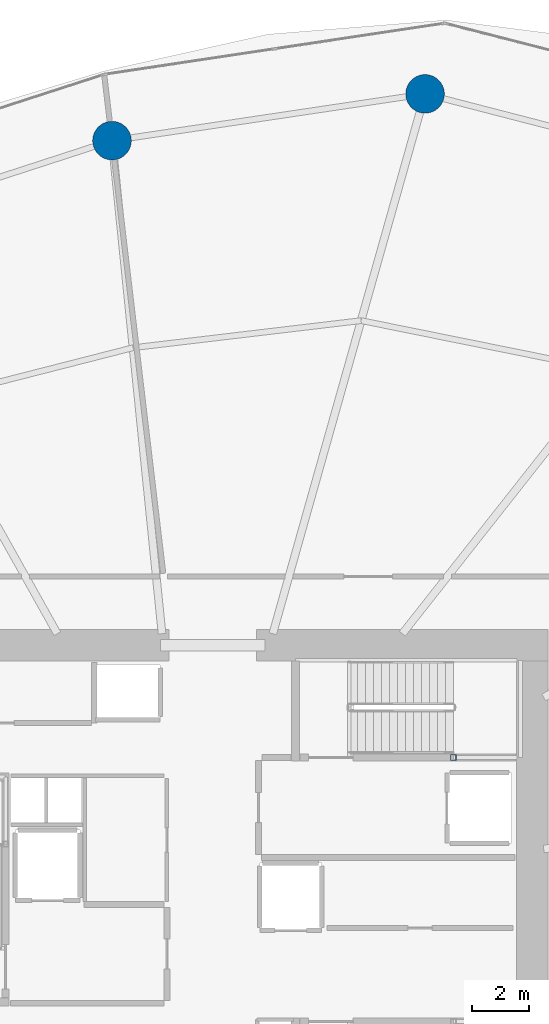
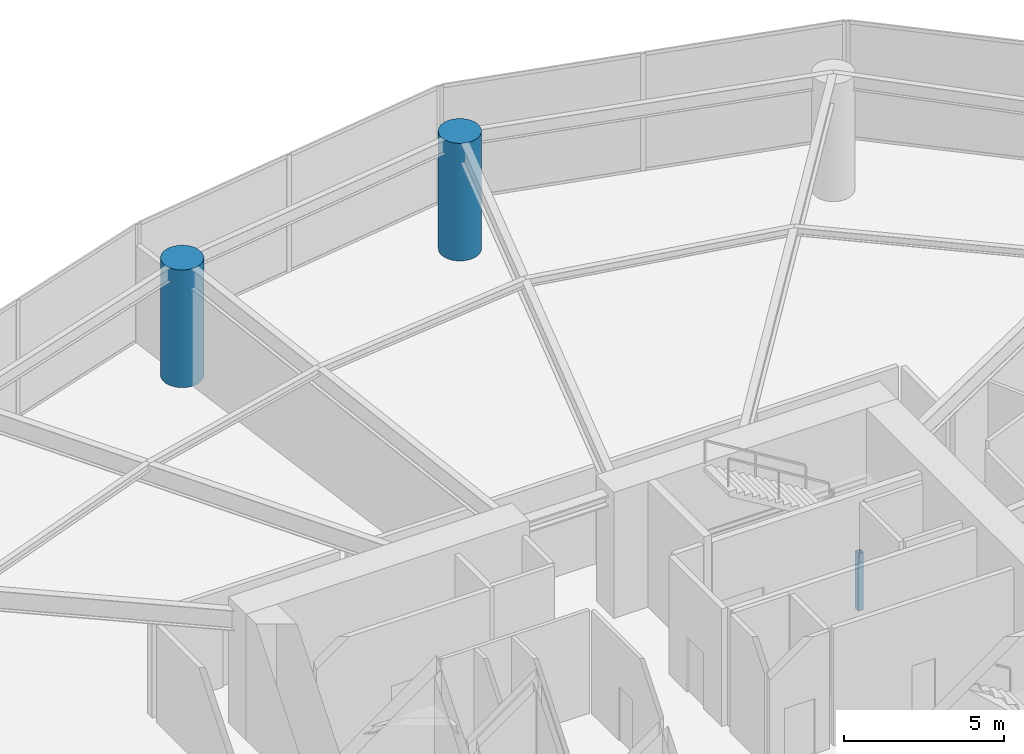
# One storey, part 5 of 22: 3 columns.
"""IFC4 building model written with IfcOpenShell, lengths in metres."""

import ifcopenshell
import ifcopenshell.guid

model = None  # the IFC model being written
_history = None  # IfcOwnerHistory: only IFC2X3 demands one
_inside = {}  # id of a spatial element -> (the spatial element, [elements in it])
_under = {}  # id of a project, library or spatial element -> (it, [spatial elements below it])
_declared = {}  # id of a project -> (the project, [libraries it declares])
_typed = {}  # id of a type object -> (the type object, [elements of that type])
_made_of = {}  # id of a material, layer set ... -> (it, [elements and type objects made of it])


def new_model(schema):
    """Start an empty IFC model of exactly this schema.

    Asked for "IFC4X3", IfcOpenShell would pick the latest addendum, in which some entities
    have other attributes; the version numbers below select the first issue.
    IFC2X3 requires an IfcOwnerHistory on every rooted entity: one is made here for all.
    """
    global model, _history
    if schema == "IFC4X3":
        model = ifcopenshell.file(schema_version=(4, 3, 0, 0))
    else:
        model = ifcopenshell.file(schema=schema)
    _inside.clear()
    _under.clear()
    _declared.clear()
    _typed.clear()
    _made_of.clear()
    _history = None
    if model.schema == "IFC2X3":
        org = make("IfcOrganization", Name="unknown")
        user = make(
            "IfcPersonAndOrganization",
            ThePerson=make("IfcPerson", FamilyName="unknown"),
            TheOrganization=org,
        )
        app = make(
            "IfcApplication",
            ApplicationDeveloper=org,
            Version="unknown",
            ApplicationFullName="unknown",
            ApplicationIdentifier="unknown",
        )
        _history = make(
            "IfcOwnerHistory",
            OwningUser=user,
            OwningApplication=app,
            ChangeAction="ADDED",
            CreationDate=0,
        )
    return model


def make(cls, **values):
    """One entity of the class cls with the attributes given. An attribute that is None is left unset."""
    return model.create_entity(
        cls, **{name: value for name, value in values.items() if value is not None}
    )


def rooted(cls, **values):
    """An entity with a GlobalId (a new one), such as an element, a storey or a relation."""
    return make(cls, GlobalId=ifcopenshell.guid.new(), OwnerHistory=_history, **values)


def si_unit(unit_type, name, prefix=None):
    """IfcSIUnit, for example si_unit("LENGTHUNIT", "METRE", prefix="MILLI")."""
    return make("IfcSIUnit", UnitType=unit_type, Prefix=prefix, Name=name)


def assignment(units):
    """IfcUnitAssignment: the units of a project."""
    return None if units is None else make("IfcUnitAssignment", Units=units)


def point(xyz):
    """IfcCartesianPoint."""
    return None if xyz is None else make("IfcCartesianPoint", Coordinates=xyz)


def direction(xyz):
    """IfcDirection."""
    return None if xyz is None else make("IfcDirection", DirectionRatios=xyz)


def frame(location, z_axis=None, x_axis=None):
    """IfcAxis2Placement3D, a coordinate frame: its origin and axes. An axis left out is left unset."""
    return make(
        "IfcAxis2Placement3D",
        Location=point(location),
        Axis=direction(z_axis),
        RefDirection=direction(x_axis),
    )


def frame_2d(location, x_axis=None):
    """IfcAxis2Placement2D, a coordinate frame in the plane: its origin and x axis."""
    return make(
        "IfcAxis2Placement2D", Location=point(location), RefDirection=direction(x_axis)
    )


def origin():
    """The frame at (0, 0, 0) with its axes left unset."""
    return frame((0.0, 0.0, 0.0))


def origin_2d():
    """The frame at (0, 0) in the plane with its x axis left unset."""
    return frame_2d((0.0, 0.0))


def place(relative_to, where):
    """IfcLocalPlacement: puts the frame where relative to a parent placement (None: the world)."""
    return make(
        "IfcLocalPlacement", PlacementRelTo=relative_to, RelativePlacement=where
    )


def context(
    kind, dimensions, precision=None, world=None, true_north=None, identifier=None
):
    """IfcGeometricRepresentationContext, for example the 3D "Model" context."""
    return make(
        "IfcGeometricRepresentationContext",
        ContextIdentifier=identifier,
        ContextType=kind,
        CoordinateSpaceDimension=dimensions,
        Precision=precision,
        WorldCoordinateSystem=world,
        TrueNorth=true_north,
    )


def subcontext(parent, identifier, kind, view, scale=None):
    """IfcGeometricRepresentationSubContext, for example "Body" below "Model"."""
    return make(
        "IfcGeometricRepresentationSubContext",
        ContextIdentifier=identifier,
        ContextType=kind,
        ParentContext=parent,
        TargetScale=scale,
        TargetView=view,
    )


def project(units=None, contexts=None):
    """IfcProject with its units and contexts."""
    return rooted(
        "IfcProject",
        Name="project",
        RepresentationContexts=contexts,
        UnitsInContext=assignment(units),
    )


def spatial(cls, under=None, at=None, **own):
    """A site, building, storey or space (cls), placed at a placement, below another one or the project."""
    s = rooted(cls, ObjectPlacement=at, **own)
    if under is not None:
        _under.setdefault(under.id(), (under, []))[1].append(s)
    return s


def profile(cls, at=None, kind="AREA", **sizes):
    """A parametric profile (cls). Its sizes go by their IFC names, for example OverallWidth=200.0."""
    return make(cls, ProfileType=kind, Position=at, **sizes)


def hollow_rectangle(**sizes):
    """IfcRectangleHollowProfileDef."""
    return profile("IfcRectangleHollowProfileDef", **sizes)


def circle(**sizes):
    """IfcCircleProfileDef."""
    return profile("IfcCircleProfileDef", **sizes)


def extrude(swept, where, along, depth):
    """IfcExtrudedAreaSolid: the profile swept, set in the frame where, extruded along a direction by depth."""
    return make(
        "IfcExtrudedAreaSolid",
        SweptArea=swept,
        Position=where,
        ExtrudedDirection=direction(along),
        Depth=depth,
    )


def shape(context_of_items, identifier, shape_type, items):
    """IfcShapeRepresentation: the items that make up one representation, for example the "Body"."""
    return make(
        "IfcShapeRepresentation",
        ContextOfItems=context_of_items,
        RepresentationIdentifier=identifier,
        RepresentationType=shape_type,
        Items=items,
    )


def material(Name=None, Category=None):
    """IfcMaterial."""
    return make("IfcMaterial", Name=Name, Category=Category)


def material_profile(
    of_material, cross_section, Name=None, Category=None, Priority=None
):
    """IfcMaterialProfile: a cross section and its material."""
    return make(
        "IfcMaterialProfile",
        Name=Name,
        Material=of_material,
        Profile=cross_section,
        Priority=Priority,
        Category=Category,
    )


def profile_set(profiles, Name=None, composite=None):
    """IfcMaterialProfileSet."""
    return make(
        "IfcMaterialProfileSet",
        Name=Name,
        MaterialProfiles=profiles,
        CompositeProfile=composite,
    )


def made_of(thing, what):
    """Note that an element or type object is made of a material, layer set ...; save() writes the relation."""
    if what is not None:
        _made_of.setdefault(what.id(), (what, []))[1].append(thing)
    return thing


def type_object(cls, material=None, **own):
    """A type object (cls), such as IfcWallType, which elements share."""
    return made_of(rooted(cls, **own), material)


def element(
    cls,
    number,
    at=None,
    inside=None,
    cuts=None,
    type_object=None,
    material=None,
    context=None,
    identifier="Body",
    shape_type=None,
    held_by="IfcProductDefinitionShape",
    body=None,
    shapes=None,
    **own,
):
    """One element of the class cls, such as IfcWall. Its Tag is "e" and its number.

    at: its placement. inside: the storey or other place that contains it. cuts: it is an
    opening in that element (IfcRelVoidsElement). A single representation is given by context,
    identifier, shape_type and body (its items); several are given by shapes. held_by: the class
    of the entity that holds the representations. save() writes the other relations.
    """
    e = rooted(cls, Tag="e%d" % number, ObjectPlacement=at, **own)
    if body is not None:
        shapes = [shape(context, identifier, shape_type, body)]
    if shapes is not None:
        e.Representation = make(held_by, Representations=shapes)
    if inside is not None:
        _inside.setdefault(inside.id(), (inside, []))[1].append(e)
    if cuts is not None:
        rooted(
            "IfcRelVoidsElement", RelatingBuildingElement=cuts, RelatedOpeningElement=e
        )
    if type_object is not None:
        _typed.setdefault(type_object.id(), (type_object, []))[1].append(e)
    return made_of(e, material)


def aggregate(whole, parts):
    """IfcRelAggregates: a whole, such as a stair, and the parts it consists of."""
    return rooted("IfcRelAggregates", RelatingObject=whole, RelatedObjects=parts)


def save(model, path):
    """Write the relations noted so far, then the file.

    IfcRelAggregates (storeys below a building ...), IfcRelContainedInSpatialStructure (elements
    in a storey), IfcRelDefinesByType, IfcRelAssociatesMaterial and IfcRelDeclares: one each for
    every whole, place, type object, material and project.
    """
    for whole, parts in _under.values():
        aggregate(whole, parts)
    for where, things in _inside.values():
        rooted(
            "IfcRelContainedInSpatialStructure",
            RelatedElements=things,
            RelatingStructure=where,
        )
    for kind, things in _typed.values():
        rooted("IfcRelDefinesByType", RelatedObjects=things, RelatingType=kind)
    for what, things in _made_of.values():
        rooted("IfcRelAssociatesMaterial", RelatedObjects=things, RelatingMaterial=what)
    for by, libraries in _declared.values():
        rooted("IfcRelDeclares", RelatingContext=by, RelatedDefinitions=libraries)
    model.write(path)


model = new_model("IFC4")

# Units and contexts
model_context = context("Model", 3, precision=1e-05, world=origin(), true_north=direction((0.0, 1.0)))
body_context = subcontext(model_context, "Body", "Model", "MODEL_VIEW")
ifc_project = project(units=[si_unit("LENGTHUNIT", "METRE"), si_unit("AREAUNIT", "SQUARE_METRE"), si_unit("VOLUMEUNIT", "CUBIC_METRE"), si_unit("PLANEANGLEUNIT", "RADIAN"), si_unit("MASSUNIT", "GRAM", prefix="KILO")], contexts=[model_context])

# Site, building, storey
site_placement = place(None, origin())
site = spatial("IfcSite", under=ifc_project, at=site_placement, CompositionType="ELEMENT")
building_placement = place(site_placement, origin())
building = spatial("IfcBuilding", under=site, at=building_placement, Name="Kazma Halo Residences", CompositionType="ELEMENT")
storey_placement = place(building_placement, frame((0.0, 0.0, 7.199951171875)))
storey = spatial("IfcBuildingStorey", under=building, at=storey_placement, Name="L01", CompositionType="ELEMENT", Elevation=7.199951171875)

# Columns
ifc_material_1 = material(Name="Steel S355", Category="steel")
ifc_material_profile_1 = material_profile(ifc_material_1, hollow_rectangle(XDim=0.199951171875, YDim=0.199951171875, WallThickness=0.010009765625, InnerFilletRadius=0.010009765625, OuterFilletRadius=0.02001953125, at=origin_2d()), Name="SHS200x200x10")
ifc_profile_set_1 = profile_set([ifc_material_profile_1], Name="Steel S355")
column_type_1 = type_object("IfcColumnType", Name="COL-LP-SHS200", PredefinedType="COLUMN", material=ifc_profile_set_1)
column_placement = place(storey_placement, frame((56.840087890625, 46.6201171875, 0.0), z_axis=(0.0, 0.0, 1.0), x_axis=(1.0, 0.0, 0.0)))
element("IfcColumn", 1, at=column_placement, inside=storey, type_object=column_type_1, Name="L01 ST-02 landing pilaster 1", PredefinedType="COLUMN", context=body_context, shape_type="SweptSolid", body=[
    extrude(hollow_rectangle(XDim=0.199951171875, YDim=0.199951171875, WallThickness=0.010009765625, InnerFilletRadius=0.010009765625, OuterFilletRadius=0.02001953125, at=origin_2d()), origin(), (0.0, 0.0, 1.0), 2.195068359375),
])
ifc_material_2 = material(Name="Concrete C80/95", Category="concrete")
ifc_material_profile_2 = material_profile(ifc_material_2, circle(Radius=0.675048828125, at=origin_2d()), Name="CIRC1350")
ifc_profile_set_2 = profile_set([ifc_material_profile_2], Name="Concrete C80/95")
column_type_2 = type_object("IfcColumnType", Name="COL-PERIM-1350", PredefinedType="COLUMN", material=ifc_profile_set_2)
for number, where, z_axis, x_axis, name in (
    (2, (55.84912109375, 69.831298828125, 0.0), (0.0, 0.0, 1.0), (1.0, 0.0, 0.0), "L01 perimeter ring column P03"),
    (3, (44.8994140625, 68.196044921875, 0.0), (0.0, 0.0, 1.0), (1.0, 0.0, 0.0), "L01 perimeter ring column P04"),
):
    element("IfcColumn", number, at=place(storey_placement, frame(where, z_axis=z_axis, x_axis=x_axis)), inside=storey, type_object=column_type_2, Name=name, PredefinedType="COLUMN", context=body_context, shape_type="SweptSolid", body=[
        extrude(circle(Radius=0.675048828125, at=origin_2d()), origin(), (0.0, 0.0, 1.0), 4.47998046875),
    ])

save(model, "model.ifc")
